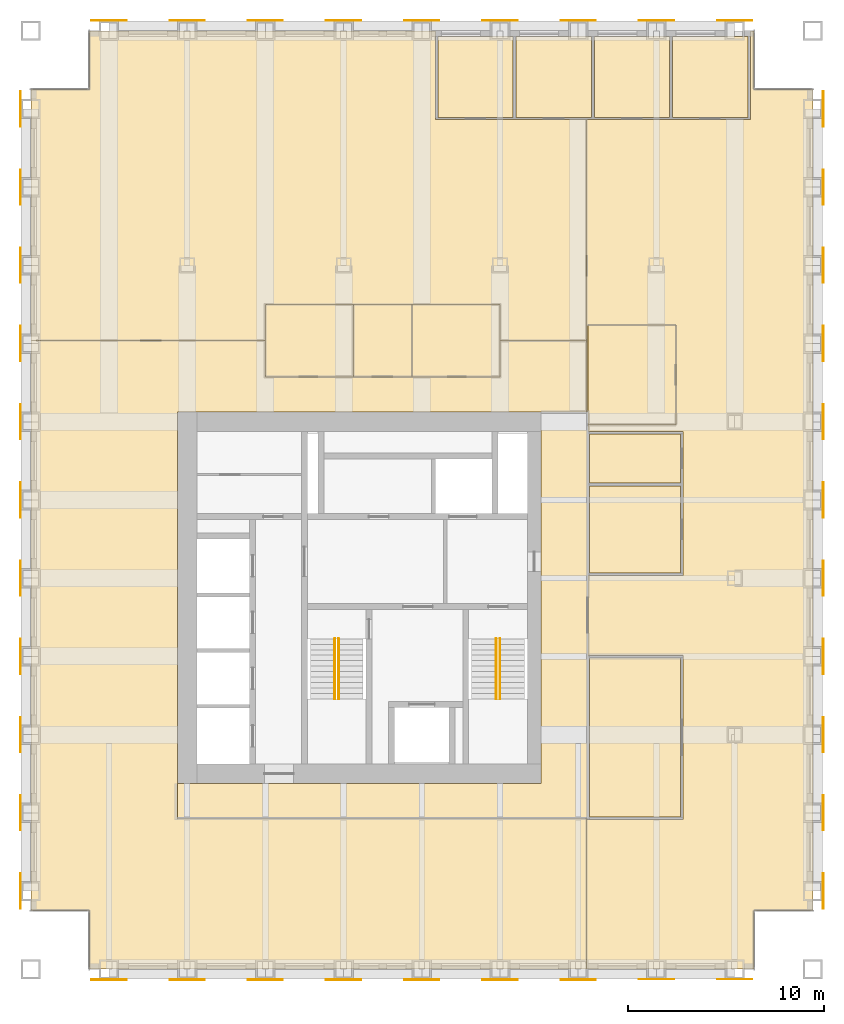
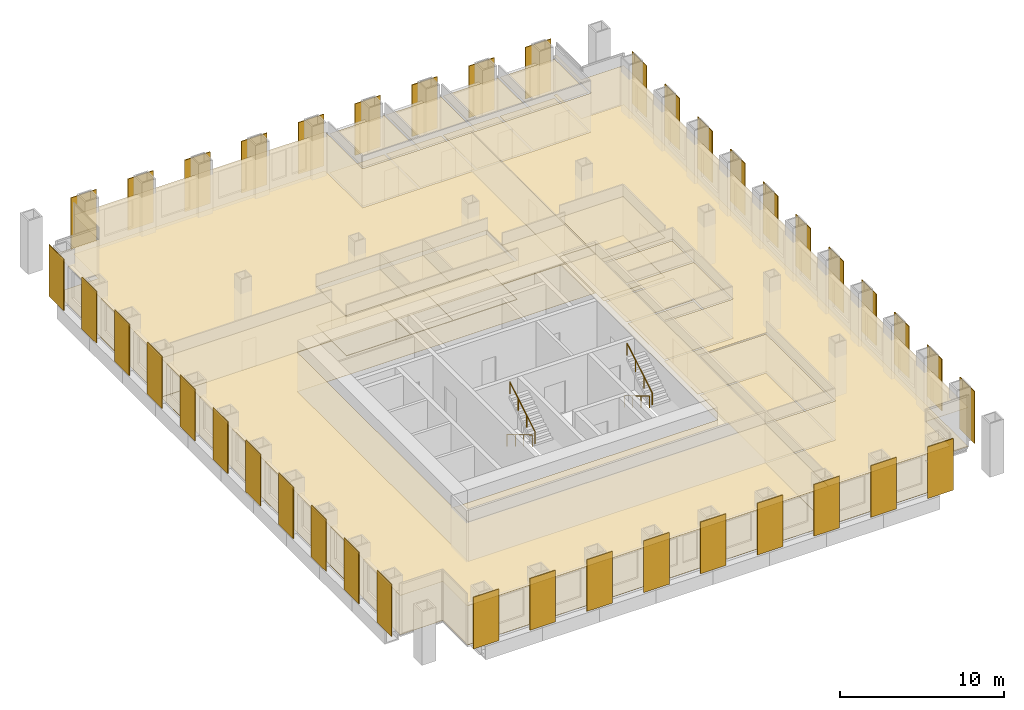
# One storey, part 13 of 13: 40 shading devices, 29 coverings, 4 railings.
"""IFC4 building model written with IfcOpenShell, lengths in metres."""

from ifc_helpers import new_model, si_unit, direction, frame, origin, origin_2d, place, context, subcontext, project, spatial, polyline, rectangle, circle, outline, extrude, material, layer, layer_set, type_object, element, save


model = new_model("IFC4")

# Units and contexts
model_context = context("Model", 3, precision=1e-05, world=origin(), true_north=direction((0.0, 1.0)))
body_context = subcontext(model_context, "Body", "Model", "MODEL_VIEW")
ifc_project = project(units=[si_unit("LENGTHUNIT", "METRE"), si_unit("AREAUNIT", "SQUARE_METRE"), si_unit("VOLUMEUNIT", "CUBIC_METRE"), si_unit("PLANEANGLEUNIT", "RADIAN"), si_unit("MASSUNIT", "GRAM", prefix="KILO")], contexts=[model_context])

# Site, building, storey
site_placement = place(None, origin())
site = spatial("IfcSite", under=ifc_project, at=site_placement, CompositionType="ELEMENT")
building_placement = place(site_placement, origin())
building = spatial("IfcBuilding", under=site, at=building_placement, Name="Rimbunsela Tower", CompositionType="ELEMENT")
storey_placement = place(building_placement, frame((0.0, 0.0, 214.199951171875)))
storey = spatial("IfcBuildingStorey", under=building, at=storey_placement, Name="L51", CompositionType="ELEMENT", Elevation=214.199951171875)

# Coverings
ifc_material_1 = material(Name="Nylon carpet tile", Category="textile")
ifc_layer_1 = layer(ifc_material_1, 0.010009765625)
ifc_layer_set_1 = layer_set([ifc_layer_1], Name="Carpet tile 10")
covering_type_1 = type_object("IfcCoveringType", Name="Carpet tile 10", PredefinedType="FLOORING", material=ifc_layer_set_1)
covering_1_placement = place(storey_placement, origin())
element("IfcCovering", 1, at=covering_1_placement, inside=storey, type_object=covering_type_1, Name="Floor finish Open office", PredefinedType="FLOORING", context=body_context, shape_type="SweptSolid", body=[
    extrude(outline(polyline([(38.425048828125, 51.449951171875), (38.5, 51.449951171875), (38.699951171875, 51.449951171875), (38.800048828125, 51.449951171875), (42.699951171875, 51.449951171875), (42.800048828125, 51.449951171875), (46.800048828125, 51.449951171875), (46.800048828125, 56.0), (47.0, 56.0), (47.0, 53.0), (50.0, 53.0), (50.0, 11.0), (47.0, 11.0), (47.0, 8.0), (38.5, 8.0), (38.425048828125, 8.0), (38.425048828125, 15.699951171875), (38.449951171875, 15.699951171875), (38.449951171875, 15.64990234375), (38.5, 15.64990234375), (43.35009765625, 15.64990234375), (43.35009765625, 24.050048828125), (38.5, 24.050048828125), (38.5, 28.14990234375), (43.35009765625, 28.14990234375), (43.35009765625, 32.75), (43.35009765625, 32.85009765625), (43.35009765625, 35.5), (38.5, 35.5), (38.5, 35.85009765625), (43.0, 35.85009765625), (43.0, 40.949951171875), (38.5, 40.949951171875), (38.5, 36.5), (38.425048828125, 36.5), (38.425048828125, 51.449951171875)])), origin(), (0.0, 0.0, 1.0), 0.010009765625),
])
covering_2_placement = place(storey_placement, origin())
element("IfcCovering", 2, at=covering_2_placement, inside=storey, type_object=covering_type_1, Name="Floor finish Open office", PredefinedType="FLOORING", context=body_context, shape_type="SweptSolid", body=[
    extrude(outline(polyline([(10.0, 40.14990234375), (10.0, 53.0), (13.0, 53.0), (13.0, 56.0), (17.5, 56.0), (30.699951171875, 56.0), (30.699951171875, 51.449951171875), (34.699951171875, 51.449951171875), (34.800048828125, 51.449951171875), (38.425048828125, 51.449951171875), (38.425048828125, 40.14990234375), (34.0, 40.14990234375), (34.0, 42.0), (22.0, 42.0), (22.0, 40.14990234375), (10.0, 40.14990234375)])), origin(), (0.0, 0.0, 1.0), 0.010009765625),
])
covering_3_placement = place(storey_placement, origin())
element("IfcCovering", 3, at=covering_3_placement, inside=storey, type_object=covering_type_1, Name="Floor finish Open office", PredefinedType="FLOORING", context=body_context, shape_type="SweptSolid", body=[
    extrude(outline(polyline([(13.0, 8.0), (13.0, 11.0), (10.0, 11.0), (10.0, 40.14990234375), (22.0, 40.14990234375), (22.0, 38.300048828125), (34.0, 38.300048828125), (34.0, 40.14990234375), (38.425048828125, 40.14990234375), (38.425048828125, 36.5), (36.10009765625, 36.5), (17.5, 36.5), (17.5, 17.5), (17.5, 15.699951171875), (38.425048828125, 15.699951171875), (38.425048828125, 8.0), (17.5, 8.0), (13.0, 8.0)])), origin(), (0.0, 0.0, 1.0), 0.010009765625),
])
covering_4_placement = place(storey_placement, origin())
element("IfcCovering", 4, at=covering_4_placement, inside=storey, type_object=covering_type_1, Name="Floor finish Reception", PredefinedType="FLOORING", context=body_context, shape_type="SweptSolid", body=[
    extrude(outline(polyline([(43.0, 35.85009765625), (43.0, 40.949951171875), (38.5, 40.949951171875), (38.5, 35.85009765625), (43.0, 35.85009765625)])), origin(), (0.0, 0.0, 1.0), 0.010009765625),
])
covering_5_placement = place(storey_placement, origin())
element("IfcCovering", 5, at=covering_5_placement, inside=storey, type_object=covering_type_1, Name="Floor finish Executive office", PredefinedType="FLOORING", context=body_context, shape_type="SweptSolid", body=[
    extrude(outline(polyline([(34.675048828125, 51.574951171875), (34.675048828125, 55.699951171875), (30.824951171875, 55.699951171875), (30.824951171875, 51.574951171875), (34.675048828125, 51.574951171875)])), origin(), (0.0, 0.0, 1.0), 0.010009765625),
])
covering_6_placement = place(storey_placement, origin())
element("IfcCovering", 6, at=covering_6_placement, inside=storey, type_object=covering_type_1, Name="Floor finish Executive office", PredefinedType="FLOORING", context=body_context, shape_type="SweptSolid", body=[
    extrude(outline(polyline([(38.675048828125, 51.574951171875), (38.675048828125, 55.699951171875), (34.824951171875, 55.699951171875), (34.824951171875, 51.574951171875), (38.675048828125, 51.574951171875)])), origin(), (0.0, 0.0, 1.0), 0.010009765625),
])
covering_7_placement = place(storey_placement, origin())
element("IfcCovering", 7, at=covering_7_placement, inside=storey, type_object=covering_type_1, Name="Floor finish Executive office", PredefinedType="FLOORING", context=body_context, shape_type="SweptSolid", body=[
    extrude(outline(polyline([(42.675048828125, 51.574951171875), (42.675048828125, 55.699951171875), (38.824951171875, 55.699951171875), (38.824951171875, 51.574951171875), (42.675048828125, 51.574951171875)])), origin(), (0.0, 0.0, 1.0), 0.010009765625),
])
covering_8_placement = place(storey_placement, origin())
element("IfcCovering", 8, at=covering_8_placement, inside=storey, type_object=covering_type_1, Name="Floor finish Executive office", PredefinedType="FLOORING", context=body_context, shape_type="SweptSolid", body=[
    extrude(outline(polyline([(46.675048828125, 51.574951171875), (46.675048828125, 55.699951171875), (42.824951171875, 55.699951171875), (42.824951171875, 51.574951171875), (46.675048828125, 51.574951171875)])), origin(), (0.0, 0.0, 1.0), 0.010009765625),
])
covering_9_placement = place(storey_placement, origin())
element("IfcCovering", 9, at=covering_9_placement, inside=storey, type_object=covering_type_1, Name="Floor finish Boardroom", PredefinedType="FLOORING", context=body_context, shape_type="SweptSolid", body=[
    extrude(outline(polyline([(43.22509765625, 15.77490234375), (43.22509765625, 23.925048828125), (38.574951171875, 23.925048828125), (38.574951171875, 15.77490234375), (43.22509765625, 15.77490234375)])), origin(), (0.0, 0.0, 1.0), 0.010009765625),
])
covering_10_placement = place(storey_placement, origin())
element("IfcCovering", 10, at=covering_10_placement, inside=storey, type_object=covering_type_1, Name="Floor finish Pantry", PredefinedType="FLOORING", context=body_context, shape_type="SweptSolid", body=[
    extrude(outline(polyline([(43.22509765625, 28.27490234375), (43.22509765625, 32.72509765625), (38.574951171875, 32.72509765625), (38.574951171875, 28.27490234375), (43.22509765625, 28.27490234375)])), origin(), (0.0, 0.0, 1.0), 0.010009765625),
])
covering_11_placement = place(storey_placement, origin())
element("IfcCovering", 11, at=covering_11_placement, inside=storey, type_object=covering_type_1, Name="Floor finish Print and copy room", PredefinedType="FLOORING", context=body_context, shape_type="SweptSolid", body=[
    extrude(outline(polyline([(43.22509765625, 32.875), (43.22509765625, 35.375), (38.574951171875, 35.375), (38.574951171875, 32.875), (43.22509765625, 32.875)])), origin(), (0.0, 0.0, 1.0), 0.010009765625),
])
ifc_material_2 = material(Name="Mineral fibre ceiling tile", Category="gypsum")
ifc_layer_2 = layer(ifc_material_2, 0.02001953125)
ifc_layer_set_2 = layer_set([ifc_layer_2], Name="Ceiling 600 grid")
covering_type_2 = type_object("IfcCoveringType", Name="Ceiling 600 grid", PredefinedType="CEILING", material=ifc_layer_set_2)
covering_12_placement = place(storey_placement, frame((0.0, 0.0, 2.900146484375)))
element("IfcCovering", 12, at=covering_12_placement, inside=storey, type_object=covering_type_2, Name="Ceiling L-shaped corridor", PredefinedType="CEILING", context=body_context, shape_type="SweptSolid", body=[
    extrude(outline(polyline([(38.5, 15.699951171875), (17.5, 15.699951171875), (17.5, 17.5), (36.10009765625, 17.5), (36.10009765625, 36.5), (38.5, 36.5), (38.5, 15.699951171875)])), origin(), (0.0, 0.0, 1.0), 0.02001953125),
])
covering_13_placement = place(storey_placement, frame((0.0, 0.0, 2.900146484375)))
element("IfcCovering", 13, at=covering_13_placement, inside=storey, type_object=covering_type_2, Name="Ceiling Open office", PredefinedType="CEILING", context=body_context, shape_type="SweptSolid", body=[
    extrude(outline(polyline([(38.425048828125, 51.449951171875), (38.5, 51.449951171875), (38.699951171875, 51.449951171875), (38.800048828125, 51.449951171875), (42.699951171875, 51.449951171875), (42.800048828125, 51.449951171875), (46.800048828125, 51.449951171875), (46.800048828125, 56.0), (47.0, 56.0), (47.0, 53.0), (50.0, 53.0), (50.0, 11.0), (47.0, 11.0), (47.0, 8.0), (38.5, 8.0), (38.425048828125, 8.0), (38.425048828125, 15.699951171875), (38.449951171875, 15.699951171875), (38.449951171875, 15.64990234375), (38.5, 15.64990234375), (43.35009765625, 15.64990234375), (43.35009765625, 24.050048828125), (38.5, 24.050048828125), (38.5, 28.14990234375), (43.35009765625, 28.14990234375), (43.35009765625, 32.75), (43.35009765625, 32.85009765625), (43.35009765625, 35.5), (38.5, 35.5), (38.5, 35.85009765625), (43.0, 35.85009765625), (43.0, 40.949951171875), (38.5, 40.949951171875), (38.5, 36.5), (38.425048828125, 36.5), (38.425048828125, 51.449951171875)])), origin(), (0.0, 0.0, 1.0), 0.02001953125),
])
covering_14_placement = place(storey_placement, frame((0.0, 0.0, 2.900146484375)))
element("IfcCovering", 14, at=covering_14_placement, inside=storey, type_object=covering_type_2, Name="Ceiling Open office", PredefinedType="CEILING", context=body_context, shape_type="SweptSolid", body=[
    extrude(outline(polyline([(10.0, 40.14990234375), (10.0, 53.0), (13.0, 53.0), (13.0, 56.0), (17.5, 56.0), (30.699951171875, 56.0), (30.699951171875, 51.449951171875), (34.699951171875, 51.449951171875), (34.800048828125, 51.449951171875), (38.425048828125, 51.449951171875), (38.425048828125, 40.14990234375), (34.0, 40.14990234375), (34.0, 42.0), (22.0, 42.0), (22.0, 40.14990234375), (10.0, 40.14990234375)])), origin(), (0.0, 0.0, 1.0), 0.02001953125),
])
covering_15_placement = place(storey_placement, frame((0.0, 0.0, 2.900146484375)))
element("IfcCovering", 15, at=covering_15_placement, inside=storey, type_object=covering_type_2, Name="Ceiling Open office", PredefinedType="CEILING", context=body_context, shape_type="SweptSolid", body=[
    extrude(outline(polyline([(13.0, 8.0), (13.0, 11.0), (10.0, 11.0), (10.0, 40.14990234375), (22.0, 40.14990234375), (22.0, 38.300048828125), (34.0, 38.300048828125), (34.0, 40.14990234375), (38.425048828125, 40.14990234375), (38.425048828125, 36.5), (36.10009765625, 36.5), (17.5, 36.5), (17.5, 17.5), (17.5, 15.699951171875), (38.425048828125, 15.699951171875), (38.425048828125, 8.0), (17.5, 8.0), (13.0, 8.0)])), origin(), (0.0, 0.0, 1.0), 0.02001953125),
])
covering_16_placement = place(storey_placement, frame((0.0, 0.0, 2.900146484375)))
element("IfcCovering", 16, at=covering_16_placement, inside=storey, type_object=covering_type_2, Name="Ceiling Reception", PredefinedType="CEILING", context=body_context, shape_type="SweptSolid", body=[
    extrude(outline(polyline([(43.0, 35.85009765625), (43.0, 40.949951171875), (38.5, 40.949951171875), (38.5, 35.85009765625), (43.0, 35.85009765625)])), origin(), (0.0, 0.0, 1.0), 0.02001953125),
])
covering_17_placement = place(storey_placement, frame((0.0, 0.0, 2.900146484375)))
element("IfcCovering", 17, at=covering_17_placement, inside=storey, type_object=covering_type_2, Name="Ceiling Executive office", PredefinedType="CEILING", context=body_context, shape_type="SweptSolid", body=[
    extrude(outline(polyline([(34.675048828125, 51.574951171875), (34.675048828125, 55.699951171875), (30.824951171875, 55.699951171875), (30.824951171875, 51.574951171875), (34.675048828125, 51.574951171875)])), origin(), (0.0, 0.0, 1.0), 0.02001953125),
])
covering_18_placement = place(storey_placement, frame((0.0, 0.0, 2.900146484375)))
element("IfcCovering", 18, at=covering_18_placement, inside=storey, type_object=covering_type_2, Name="Ceiling Executive office", PredefinedType="CEILING", context=body_context, shape_type="SweptSolid", body=[
    extrude(outline(polyline([(38.675048828125, 51.574951171875), (38.675048828125, 55.699951171875), (34.824951171875, 55.699951171875), (34.824951171875, 51.574951171875), (38.675048828125, 51.574951171875)])), origin(), (0.0, 0.0, 1.0), 0.02001953125),
])
covering_19_placement = place(storey_placement, frame((0.0, 0.0, 2.900146484375)))
element("IfcCovering", 19, at=covering_19_placement, inside=storey, type_object=covering_type_2, Name="Ceiling Executive office", PredefinedType="CEILING", context=body_context, shape_type="SweptSolid", body=[
    extrude(outline(polyline([(42.675048828125, 51.574951171875), (42.675048828125, 55.699951171875), (38.824951171875, 55.699951171875), (38.824951171875, 51.574951171875), (42.675048828125, 51.574951171875)])), origin(), (0.0, 0.0, 1.0), 0.02001953125),
])
covering_20_placement = place(storey_placement, frame((0.0, 0.0, 2.900146484375)))
element("IfcCovering", 20, at=covering_20_placement, inside=storey, type_object=covering_type_2, Name="Ceiling Executive office", PredefinedType="CEILING", context=body_context, shape_type="SweptSolid", body=[
    extrude(outline(polyline([(46.675048828125, 51.574951171875), (46.675048828125, 55.699951171875), (42.824951171875, 55.699951171875), (42.824951171875, 51.574951171875), (46.675048828125, 51.574951171875)])), origin(), (0.0, 0.0, 1.0), 0.02001953125),
])
covering_21_placement = place(storey_placement, frame((0.0, 0.0, 2.900146484375)))
element("IfcCovering", 21, at=covering_21_placement, inside=storey, type_object=covering_type_2, Name="Ceiling Boardroom", PredefinedType="CEILING", context=body_context, shape_type="SweptSolid", body=[
    extrude(outline(polyline([(43.22509765625, 15.77490234375), (43.22509765625, 23.925048828125), (38.574951171875, 23.925048828125), (38.574951171875, 15.77490234375), (43.22509765625, 15.77490234375)])), origin(), (0.0, 0.0, 1.0), 0.02001953125),
])
covering_22_placement = place(storey_placement, frame((0.0, 0.0, 2.900146484375)))
element("IfcCovering", 22, at=covering_22_placement, inside=storey, type_object=covering_type_2, Name="Ceiling Pantry", PredefinedType="CEILING", context=body_context, shape_type="SweptSolid", body=[
    extrude(outline(polyline([(43.22509765625, 28.27490234375), (43.22509765625, 32.72509765625), (38.574951171875, 32.72509765625), (38.574951171875, 28.27490234375), (43.22509765625, 28.27490234375)])), origin(), (0.0, 0.0, 1.0), 0.02001953125),
])
covering_23_placement = place(storey_placement, frame((0.0, 0.0, 2.900146484375)))
element("IfcCovering", 23, at=covering_23_placement, inside=storey, type_object=covering_type_2, Name="Ceiling Print and copy room", PredefinedType="CEILING", context=body_context, shape_type="SweptSolid", body=[
    extrude(outline(polyline([(43.22509765625, 32.875), (43.22509765625, 35.375), (38.574951171875, 35.375), (38.574951171875, 32.875), (43.22509765625, 32.875)])), origin(), (0.0, 0.0, 1.0), 0.02001953125),
])
ifc_material_3 = material(Name="Moisture-resistant plasterboard ceiling", Category="gypsum")
ifc_layer_3 = layer(ifc_material_3, 0.012451171875)
ifc_layer_set_3 = layer_set([ifc_layer_3], Name="Ceiling moisture-resistant board")
covering_type_3 = type_object("IfcCoveringType", Name="Ceiling moisture-resistant board", PredefinedType="CEILING", material=ifc_layer_set_3)
covering_24_placement = place(storey_placement, frame((0.0, 0.0, 2.60009765625)))
element("IfcCovering", 24, at=covering_24_placement, inside=storey, type_object=covering_type_3, Name="Ceiling Female WC", PredefinedType="CEILING", context=body_context, shape_type="SweptSolid", body=[
    extrude(outline(polyline([(26.5, 38.300048828125), (26.5, 42.0), (22.0, 42.0), (22.0, 38.300048828125), (26.5, 38.300048828125)])), origin(), (0.0, 0.0, 1.0), 0.02001953125),
])
covering_25_placement = place(storey_placement, frame((0.0, 0.0, 2.60009765625)))
element("IfcCovering", 25, at=covering_25_placement, inside=storey, type_object=covering_type_3, Name="Ceiling Accessible WC", PredefinedType="CEILING", context=body_context, shape_type="SweptSolid", body=[
    extrude(outline(polyline([(29.5, 38.300048828125), (29.5, 42.0), (26.5, 42.0), (26.5, 38.300048828125), (29.5, 38.300048828125)])), origin(), (0.0, 0.0, 1.0), 0.02001953125),
])
covering_26_placement = place(storey_placement, frame((0.0, 0.0, 2.60009765625)))
element("IfcCovering", 26, at=covering_26_placement, inside=storey, type_object=covering_type_3, Name="Ceiling Male WC", PredefinedType="CEILING", context=body_context, shape_type="SweptSolid", body=[
    extrude(outline(polyline([(34.0, 38.300048828125), (34.0, 42.0), (29.5, 42.0), (29.5, 38.300048828125), (34.0, 38.300048828125)])), origin(), (0.0, 0.0, 1.0), 0.02001953125),
])
ifc_material_4 = material(Name="Porcelain floor tile in adhesive bed", Category="ceramic")
ifc_layer_4 = layer(ifc_material_4, 0.02001953125)
ifc_layer_set_4 = layer_set([ifc_layer_4], Name="Porcelain tile 20")
covering_type_4 = type_object("IfcCoveringType", Name="Porcelain tile 20", PredefinedType="FLOORING", material=ifc_layer_set_4)
covering_27_placement = place(storey_placement, origin())
element("IfcCovering", 27, at=covering_27_placement, inside=storey, type_object=covering_type_4, Name="Floor finish Female WC", PredefinedType="FLOORING", context=body_context, shape_type="SweptSolid", body=[
    extrude(outline(polyline([(26.5, 38.300048828125), (26.5, 42.0), (22.0, 42.0), (22.0, 38.300048828125), (26.5, 38.300048828125)])), origin(), (0.0, 0.0, 1.0), 0.02001953125),
])
covering_28_placement = place(storey_placement, origin())
element("IfcCovering", 28, at=covering_28_placement, inside=storey, type_object=covering_type_4, Name="Floor finish Accessible WC", PredefinedType="FLOORING", context=body_context, shape_type="SweptSolid", body=[
    extrude(outline(polyline([(29.5, 38.300048828125), (29.5, 42.0), (26.5, 42.0), (26.5, 38.300048828125), (29.5, 38.300048828125)])), origin(), (0.0, 0.0, 1.0), 0.02001953125),
])
covering_29_placement = place(storey_placement, origin())
element("IfcCovering", 29, at=covering_29_placement, inside=storey, type_object=covering_type_4, Name="Floor finish Male WC", PredefinedType="FLOORING", context=body_context, shape_type="SweptSolid", body=[
    extrude(outline(polyline([(34.0, 38.300048828125), (34.0, 42.0), (29.5, 42.0), (29.5, 38.300048828125), (34.0, 38.300048828125)])), origin(), (0.0, 0.0, 1.0), 0.02001953125),
])

# Shading devices
ifc_material_5 = material(Name="Perforated aluminium, 35 % open area", Category="aluminium")
ifc_layer_5 = layer(ifc_material_5, 0.050048828125)
ifc_layer_set_5 = layer_set([ifc_layer_5], Name="Solar screen panel 1800")
shading_device_type = type_object("IfcShadingDeviceType", Name="Solar screen panel 1800", PredefinedType="USERDEFINED", material=ifc_layer_set_5)
for number, where, z_axis, x_axis, name in (
    (30, (14.0, 7.47509765625, 0.0), (0.0, 0.0, 1.0), (1.0, 0.0, 0.0), "Solar screen S L51"),
    (31, (18.0, 7.47509765625, 0.0), (0.0, 0.0, 1.0), (1.0, 0.0, 0.0), "Solar screen S L51"),
    (32, (22.0, 7.47509765625, 0.0), (0.0, 0.0, 1.0), (1.0, 0.0, 0.0), "Solar screen S L51"),
    (33, (26.0, 7.47509765625, 0.0), (0.0, 0.0, 1.0), (1.0, 0.0, 0.0), "Solar screen S L51"),
    (34, (30.0, 7.47509765625, 0.0), (0.0, 0.0, 1.0), (1.0, 0.0, 0.0), "Solar screen S L51"),
    (35, (34.0, 7.47509765625, 0.0), (0.0, 0.0, 1.0), (1.0, 0.0, 0.0), "Solar screen S L51"),
    (36, (38.0, 7.47509765625, 0.0), (0.0, 0.0, 1.0), (1.0, 0.0, 0.0), "Solar screen S L51"),
    (37, (42.0, 7.47509765625, 0.0), (0.0, 0.0, 1.0), (1.0, 0.0, 0.0), "Solar screen S L51"),
    (38, (46.0, 7.47509765625, 0.0), (0.0, 0.0, 1.0), (1.0, 0.0, 0.0), "Solar screen S L51"),
    (39, (50.52490234375, 12.0, 0.0), (0.0, 0.0, 1.0), (0.0, 1.0, 0.0), "Solar screen E L51"),
    (40, (50.52490234375, 16.0, 0.0), (0.0, 0.0, 1.0), (0.0, 1.0, 0.0), "Solar screen E L51"),
    (41, (50.52490234375, 20.0, 0.0), (0.0, 0.0, 1.0), (0.0, 1.0, 0.0), "Solar screen E L51"),
    (42, (50.52490234375, 24.0, 0.0), (0.0, 0.0, 1.0), (0.0, 1.0, 0.0), "Solar screen E L51"),
    (43, (50.52490234375, 28.0, 0.0), (0.0, 0.0, 1.0), (0.0, 1.0, 0.0), "Solar screen E L51"),
    (44, (50.52490234375, 32.0, 0.0), (0.0, 0.0, 1.0), (0.0, 1.0, 0.0), "Solar screen E L51"),
    (45, (50.52490234375, 36.0, 0.0), (0.0, 0.0, 1.0), (0.0, 1.0, 0.0), "Solar screen E L51"),
    (46, (50.52490234375, 40.0, 0.0), (0.0, 0.0, 1.0), (0.0, 1.0, 0.0), "Solar screen E L51"),
    (47, (50.52490234375, 44.0, 0.0), (0.0, 0.0, 1.0), (0.0, 1.0, 0.0), "Solar screen E L51"),
    (48, (50.52490234375, 48.0, 0.0), (0.0, 0.0, 1.0), (0.0, 1.0, 0.0), "Solar screen E L51"),
    (49, (50.52490234375, 52.0, 0.0), (0.0, 0.0, 1.0), (0.0, 1.0, 0.0), "Solar screen E L51"),
    (50, (14.0, 56.52490234375, 0.0), (0.0, 0.0, 1.0), (1.0, 0.0, 0.0), "Solar screen N L51"),
    (51, (18.0, 56.52490234375, 0.0), (0.0, 0.0, 1.0), (1.0, 0.0, 0.0), "Solar screen N L51"),
    (52, (22.0, 56.52490234375, 0.0), (0.0, 0.0, 1.0), (1.0, 0.0, 0.0), "Solar screen N L51"),
    (53, (26.0, 56.52490234375, 0.0), (0.0, 0.0, 1.0), (1.0, 0.0, 0.0), "Solar screen N L51"),
    (54, (30.0, 56.52490234375, 0.0), (0.0, 0.0, 1.0), (1.0, 0.0, 0.0), "Solar screen N L51"),
    (55, (34.0, 56.52490234375, 0.0), (0.0, 0.0, 1.0), (1.0, 0.0, 0.0), "Solar screen N L51"),
    (56, (38.0, 56.52490234375, 0.0), (0.0, 0.0, 1.0), (1.0, 0.0, 0.0), "Solar screen N L51"),
    (57, (42.0, 56.52490234375, 0.0), (0.0, 0.0, 1.0), (1.0, 0.0, 0.0), "Solar screen N L51"),
    (58, (46.0, 56.52490234375, 0.0), (0.0, 0.0, 1.0), (1.0, 0.0, 0.0), "Solar screen N L51"),
    (59, (9.47509765625, 12.0, 0.0), (0.0, 0.0, 1.0), (0.0, 1.0, 0.0), "Solar screen W L51"),
    (60, (9.47509765625, 16.0, 0.0), (0.0, 0.0, 1.0), (0.0, 1.0, 0.0), "Solar screen W L51"),
    (61, (9.47509765625, 20.0, 0.0), (0.0, 0.0, 1.0), (0.0, 1.0, 0.0), "Solar screen W L51"),
    (62, (9.47509765625, 24.0, 0.0), (0.0, 0.0, 1.0), (0.0, 1.0, 0.0), "Solar screen W L51"),
    (63, (9.47509765625, 28.0, 0.0), (0.0, 0.0, 1.0), (0.0, 1.0, 0.0), "Solar screen W L51"),
    (64, (9.47509765625, 32.0, 0.0), (0.0, 0.0, 1.0), (0.0, 1.0, 0.0), "Solar screen W L51"),
    (65, (9.47509765625, 36.0, 0.0), (0.0, 0.0, 1.0), (0.0, 1.0, 0.0), "Solar screen W L51"),
    (66, (9.47509765625, 40.0, 0.0), (0.0, 0.0, 1.0), (0.0, 1.0, 0.0), "Solar screen W L51"),
    (67, (9.47509765625, 44.0, 0.0), (0.0, 0.0, 1.0), (0.0, 1.0, 0.0), "Solar screen W L51"),
    (68, (9.47509765625, 48.0, 0.0), (0.0, 0.0, 1.0), (0.0, 1.0, 0.0), "Solar screen W L51"),
    (69, (9.47509765625, 52.0, 0.0), (0.0, 0.0, 1.0), (0.0, 1.0, 0.0), "Solar screen W L51"),
):
    element("IfcShadingDevice", number, at=place(storey_placement, frame(where, z_axis=z_axis, x_axis=x_axis)), inside=storey, type_object=shading_device_type, Name=name, ObjectType="SCREEN", PredefinedType="USERDEFINED", context=body_context, shape_type="SweptSolid", body=[
        extrude(rectangle(XDim=1.800048828125, YDim=0.050048828125, at=origin_2d()), origin(), (0.0, 0.0, 1.0), 3.85009765625),
    ])

# Railings
ifc_material_6 = material(Name="Stainless steel tube", Category="steel")
railing_type = type_object("IfcRailingType", Name="Stair handrail 900", PredefinedType="HANDRAIL", material=ifc_material_6)
railing_1_placement = place(storey_placement, frame((25.550048828125, 24.89990234375, 0.166748046875)))
element("IfcRailing", 70, at=railing_1_placement, inside=storey, type_object=railing_type, Name="Handrail ST-A flight 1", PredefinedType="HANDRAIL", context=body_context, shape_type="SweptSolid", body=[
    extrude(circle(Radius=0.02392578125, at=origin_2d()), frame((0.0, 0.0, 0.8759765625), z_axis=(0.0, -0.859290745958, 0.51148745235), x_axis=(1.0, 0.0, 0.0)), (0.0, 0.0, 1.0), 3.584228515625),
    extrude(circle(Radius=0.02099609375, at=origin_2d()), origin(), (0.0, 0.0, 1.0), 0.851806640625),
    extrude(circle(Radius=0.02099609375, at=origin_2d()), frame((0.0, -1.026611328125, 0.611083984375)), (0.0, 0.0, 1.0), 0.851806640625),
    extrude(circle(Radius=0.02099609375, at=origin_2d()), frame((0.0, -2.05322265625, 1.22216796875)), (0.0, 0.0, 1.0), 0.851806640625),
    extrude(circle(Radius=0.02099609375, at=origin_2d()), frame((0.0, -3.079833984375, 1.833251953125)), (0.0, 0.0, 1.0), 0.851806640625),
])
railing_2_placement = place(storey_placement, frame((25.75, 21.820068359375, 2.166748046875)))
element("IfcRailing", 71, at=railing_2_placement, inside=storey, type_object=railing_type, Name="Handrail ST-A flight 2", PredefinedType="HANDRAIL", context=body_context, shape_type="SweptSolid", body=[
    extrude(circle(Radius=0.02392578125, at=origin_2d()), frame((0.0, 0.0, 0.8759765625), z_axis=(0.0, 0.859290745958, 0.51148745235), x_axis=(-1.0, 0.0, 0.0)), (0.0, 0.0, 1.0), 3.584228515625),
    extrude(circle(Radius=0.02099609375, at=origin_2d()), origin(), (0.0, 0.0, 1.0), 0.851806640625),
    extrude(circle(Radius=0.02099609375, at=origin_2d()), frame((0.0, 1.026611328125, 0.611083984375)), (0.0, 0.0, 1.0), 0.851806640625),
    extrude(circle(Radius=0.02099609375, at=origin_2d()), frame((0.0, 2.05322265625, 1.22216796875)), (0.0, 0.0, 1.0), 0.851806640625),
    extrude(circle(Radius=0.02099609375, at=origin_2d()), frame((0.0, 3.079833984375, 1.833251953125)), (0.0, 0.0, 1.0), 0.851806640625),
])
railing_3_placement = place(storey_placement, frame((33.800048828125, 24.89990234375, 0.166748046875)))
element("IfcRailing", 72, at=railing_3_placement, inside=storey, type_object=railing_type, Name="Handrail ST-B flight 1", PredefinedType="HANDRAIL", context=body_context, shape_type="SweptSolid", body=[
    extrude(circle(Radius=0.02392578125, at=origin_2d()), frame((0.0, 0.0, 0.8759765625), z_axis=(0.0, -0.859290745958, 0.51148745235), x_axis=(1.0, 0.0, 0.0)), (0.0, 0.0, 1.0), 3.584228515625),
    extrude(circle(Radius=0.02099609375, at=origin_2d()), origin(), (0.0, 0.0, 1.0), 0.851806640625),
    extrude(circle(Radius=0.02099609375, at=origin_2d()), frame((0.0, -1.026611328125, 0.611083984375)), (0.0, 0.0, 1.0), 0.851806640625),
    extrude(circle(Radius=0.02099609375, at=origin_2d()), frame((0.0, -2.05322265625, 1.22216796875)), (0.0, 0.0, 1.0), 0.851806640625),
    extrude(circle(Radius=0.02099609375, at=origin_2d()), frame((0.0, -3.079833984375, 1.833251953125)), (0.0, 0.0, 1.0), 0.851806640625),
])
railing_4_placement = place(storey_placement, frame((34.0, 21.820068359375, 2.166748046875)))
element("IfcRailing", 73, at=railing_4_placement, inside=storey, type_object=railing_type, Name="Handrail ST-B flight 2", PredefinedType="HANDRAIL", context=body_context, shape_type="SweptSolid", body=[
    extrude(circle(Radius=0.02392578125, at=origin_2d()), frame((0.0, 0.0, 0.8759765625), z_axis=(0.0, 0.859290745958, 0.51148745235), x_axis=(-1.0, 0.0, 0.0)), (0.0, 0.0, 1.0), 3.584228515625),
    extrude(circle(Radius=0.02099609375, at=origin_2d()), origin(), (0.0, 0.0, 1.0), 0.851806640625),
    extrude(circle(Radius=0.02099609375, at=origin_2d()), frame((0.0, 1.026611328125, 0.611083984375)), (0.0, 0.0, 1.0), 0.851806640625),
    extrude(circle(Radius=0.02099609375, at=origin_2d()), frame((0.0, 2.05322265625, 1.22216796875)), (0.0, 0.0, 1.0), 0.851806640625),
    extrude(circle(Radius=0.02099609375, at=origin_2d()), frame((0.0, 3.079833984375, 1.833251953125)), (0.0, 0.0, 1.0), 0.851806640625),
])

save(model, "model.ifc")
